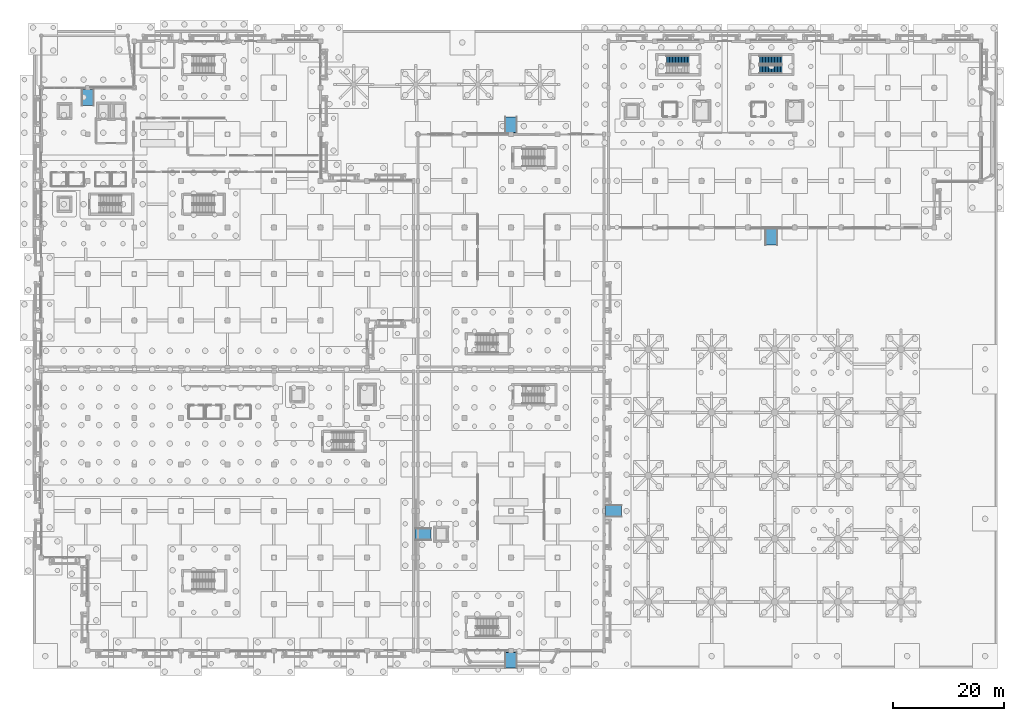
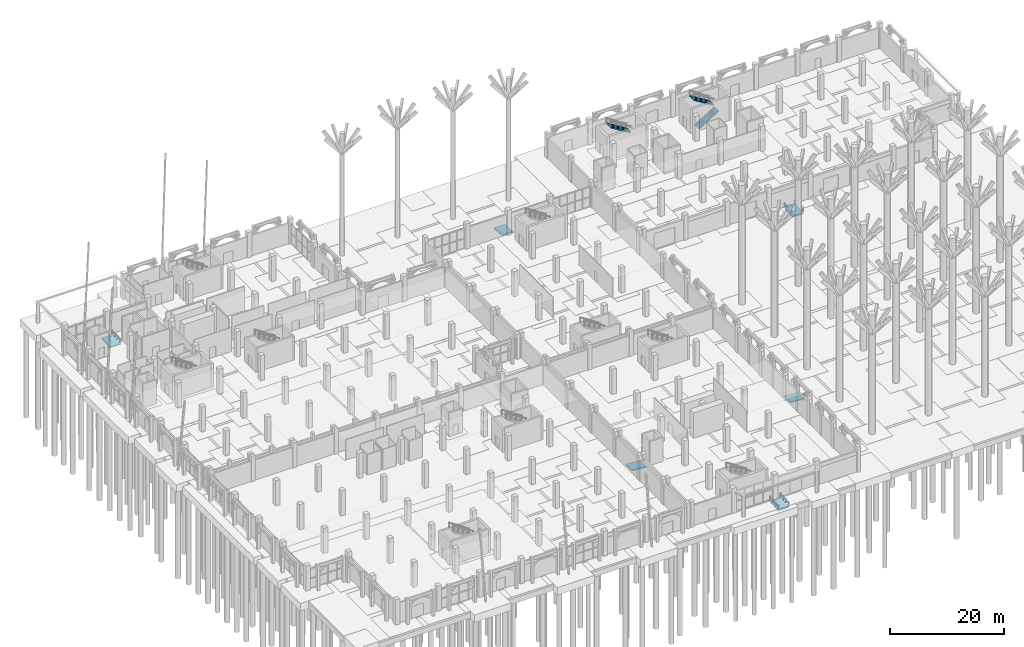
# One storey, part 75 of 98: 6 ramp flights, 3 stair flights, 8 elements without a shape of their own.
"""IFC4 building model written with IfcOpenShell, lengths in metres."""

from ifc_helpers import new_model, si_unit, direction, frame, origin, place, context, subcontext, project, spatial, polyline, outline, extrude, material, layer, layer_set, type_object, element, aggregate, save


model = new_model("IFC4")

# Units and contexts
model_context = context("Model", 3, precision=1e-05, world=origin(), true_north=direction((0.0, 1.0)))
body_context = subcontext(model_context, "Body", "Model", "MODEL_VIEW")
ifc_project = project(units=[si_unit("LENGTHUNIT", "METRE"), si_unit("AREAUNIT", "SQUARE_METRE"), si_unit("VOLUMEUNIT", "CUBIC_METRE"), si_unit("PLANEANGLEUNIT", "RADIAN"), si_unit("MASSUNIT", "GRAM", prefix="KILO")], contexts=[model_context])

# Site, building, storey
site_placement = place(None, origin())
site = spatial("IfcSite", under=ifc_project, at=site_placement, CompositionType="ELEMENT")
building_placement = place(site_placement, origin())
building = spatial("IfcBuilding", under=site, at=building_placement, Name="Xazarin Passage Department Store", CompositionType="ELEMENT")
storey_placement = place(building_placement, origin())
storey = spatial("IfcBuildingStorey", under=building, at=storey_placement, Name="L00", CompositionType="ELEMENT", Elevation=0.0)

# Stair, stair flight
ifc_material = material(Name="Concrete C35/45", Category="concrete")
stair_type = type_object("IfcStairType", Name="ARC-ST-L00", PredefinedType="HALF_TURN_STAIR", material=ifc_material)
stair_1_placement = place(storey_placement, origin())
stair_1 = element("IfcStair", 1, at=stair_1_placement, inside=storey, type_object=stair_type, Name="L00 Exit Stair ST10", PredefinedType="HALF_TURN_STAIR")
stair_flight_type = type_object("IfcStairFlightType", Name="ARC-SFL-L00", PredefinedType="STRAIGHT", material=ifc_material)
stair_flight_1_placement = place(storey_placement, frame((116.889892578125, 106.659912109375, 2.699951171875), z_axis=(0.0, 0.0, 1.0), x_axis=(-1.0, 0.0, 0.0)))
stair_flight_1 = element("IfcStairFlight", 2, at=stair_flight_1_placement, type_object=stair_flight_type, Name="ST10 flight 2", NumberOfRisers=16, NumberOfTreads=15, PredefinedType="STRAIGHT", RiserHeight=0.16875, TreadLength=0.27, context=body_context, shape_type="SweptSolid", body=[
    extrude(outline(polyline([(0.0, 0.0), (0.0, 0.168701171875), (0.27001953125, 0.168701171875), (0.27001953125, 0.33740234375), (0.5400390625, 0.33740234375), (0.5400390625, 0.50634765625), (0.81005859375, 0.50634765625), (0.81005859375, 0.675048828125), (1.080078125, 0.675048828125), (1.080078125, 0.84375), (1.35009765625, 0.84375), (1.35009765625, 1.012451171875), (1.6201171875, 1.012451171875), (1.6201171875, 1.18115234375), (1.889892578125, 1.18115234375), (1.889892578125, 1.35009765625), (2.159912109375, 1.35009765625), (2.159912109375, 1.518798828125), (2.429931640625, 1.518798828125), (2.429931640625, 1.6875), (2.699951171875, 1.6875), (2.699951171875, 1.856201171875), (2.969970703125, 1.856201171875), (2.969970703125, 2.02490234375), (3.239990234375, 2.02490234375), (3.239990234375, 2.19384765625), (3.510009765625, 2.19384765625), (3.510009765625, 2.362548828125), (3.780029296875, 2.362548828125), (3.780029296875, 2.53125), (4.050048828125, 2.53125), (4.050048828125, 2.699951171875), (4.050048828125, 2.3427734375), (0.3017578125, 0.0), (0.0, 0.0)])), frame((0.0, 0.760009765625, 0.0), z_axis=(0.0, -1.0, 0.0), x_axis=(1.0, 0.0, 0.0)), (0.0, 0.0, 1.0), 1.52001953125),
])
aggregate(stair_1, [stair_flight_1])

# Stair, stair flights
stair_2_placement = place(storey_placement, origin())
stair_2 = element("IfcStair", 3, at=stair_2_placement, inside=storey, type_object=stair_type, Name="L00 Exit Stair ST11", PredefinedType="HALF_TURN_STAIR")
stair_flight_2_placement = place(storey_placement, frame((129.639892578125, 104.93994140625, 0.0), z_axis=(0.0, 0.0, 1.0), x_axis=(1.0, 0.0, 0.0)))
stair_flight_2 = element("IfcStairFlight", 4, at=stair_flight_2_placement, type_object=stair_flight_type, Name="ST11 flight 1", NumberOfRisers=16, NumberOfTreads=15, PredefinedType="STRAIGHT", RiserHeight=0.16875, TreadLength=0.27, context=body_context, shape_type="SweptSolid", body=[
    extrude(outline(polyline([(0.0, 0.0), (0.0, 0.168701171875), (0.27001953125, 0.168701171875), (0.27001953125, 0.33740234375), (0.5400390625, 0.33740234375), (0.5400390625, 0.50634765625), (0.81005859375, 0.50634765625), (0.81005859375, 0.675048828125), (1.080078125, 0.675048828125), (1.080078125, 0.84375), (1.35009765625, 0.84375), (1.35009765625, 1.012451171875), (1.6201171875, 1.012451171875), (1.6201171875, 1.18115234375), (1.889892578125, 1.18115234375), (1.889892578125, 1.35009765625), (2.159912109375, 1.35009765625), (2.159912109375, 1.518798828125), (2.429931640625, 1.518798828125), (2.429931640625, 1.6875), (2.699951171875, 1.6875), (2.699951171875, 1.856201171875), (2.969970703125, 1.856201171875), (2.969970703125, 2.02490234375), (3.239990234375, 2.02490234375), (3.239990234375, 2.19384765625), (3.510009765625, 2.19384765625), (3.510009765625, 2.362548828125), (3.780029296875, 2.362548828125), (3.780029296875, 2.53125), (4.050048828125, 2.53125), (4.050048828125, 2.699951171875), (4.050048828125, 2.3427734375), (0.3017578125, 0.0), (0.0, 0.0)])), frame((0.0, 0.760009765625, 0.0), z_axis=(0.0, -1.0, 0.0), x_axis=(1.0, 0.0, 0.0)), (0.0, 0.0, 1.0), 1.52001953125),
])
stair_flight_3_placement = place(storey_placement, frame((133.68994140625, 106.659912109375, 2.699951171875), z_axis=(0.0, 0.0, 1.0), x_axis=(-1.0, 0.0, 0.0)))
stair_flight_3 = element("IfcStairFlight", 5, at=stair_flight_3_placement, type_object=stair_flight_type, Name="ST11 flight 2", NumberOfRisers=16, NumberOfTreads=15, PredefinedType="STRAIGHT", RiserHeight=0.16875, TreadLength=0.27, context=body_context, shape_type="SweptSolid", body=[
    extrude(outline(polyline([(0.0, 0.0), (0.0, 0.168701171875), (0.27001953125, 0.168701171875), (0.27001953125, 0.33740234375), (0.5400390625, 0.33740234375), (0.5400390625, 0.50634765625), (0.81005859375, 0.50634765625), (0.81005859375, 0.675048828125), (1.080078125, 0.675048828125), (1.080078125, 0.84375), (1.35009765625, 0.84375), (1.35009765625, 1.012451171875), (1.6201171875, 1.012451171875), (1.6201171875, 1.18115234375), (1.889892578125, 1.18115234375), (1.889892578125, 1.35009765625), (2.159912109375, 1.35009765625), (2.159912109375, 1.518798828125), (2.429931640625, 1.518798828125), (2.429931640625, 1.6875), (2.699951171875, 1.6875), (2.699951171875, 1.856201171875), (2.969970703125, 1.856201171875), (2.969970703125, 2.02490234375), (3.239990234375, 2.02490234375), (3.239990234375, 2.19384765625), (3.510009765625, 2.19384765625), (3.510009765625, 2.362548828125), (3.780029296875, 2.362548828125), (3.780029296875, 2.53125), (4.050048828125, 2.53125), (4.050048828125, 2.699951171875), (4.050048828125, 2.3427734375), (0.3017578125, 0.0), (0.0, 0.0)])), frame((0.0, 0.760009765625, 0.0), z_axis=(0.0, -1.0, 0.0), x_axis=(1.0, 0.0, 0.0)), (0.0, 0.0, 1.0), 1.52001953125),
])
aggregate(stair_2, [stair_flight_2, stair_flight_3])

# Ramp, ramp flight
ramp_type = type_object("IfcRampType", Name="ARC-RMP-ENT", PredefinedType="STRAIGHT_RUN_RAMP", material=ifc_material)
ramp_1_placement = place(storey_placement, origin())
ramp_1 = element("IfcRamp", 6, at=ramp_1_placement, inside=storey, type_object=ramp_type, Name="Step-Free Pedestrian Threshold Ramp RMP-01", PredefinedType="STRAIGHT_RUN_RAMP")
ifc_layer = layer(ifc_material, 0.219970703125)
ifc_layer_set = layer_set([ifc_layer], Name="Concrete C35/45")
ramp_flight_type = type_object("IfcRampFlightType", Name="ARC-RFL-ENT", PredefinedType="STRAIGHT", material=ifc_layer_set)
ramp_flight_1_placement = place(storey_placement, frame((7.300048828125, 98.419921875, -0.239990234375), z_axis=(0.0, -0.083038488854, 0.996546340804), x_axis=(1.0, 0.0, 0.0)))
ramp_flight_1 = element("IfcRampFlight", 7, at=ramp_flight_1_placement, type_object=ramp_flight_type, Name="RMP-01 Step-Free Flight", PredefinedType="STRAIGHT", context=body_context, shape_type="SweptSolid", body=[
    extrude(outline(polyline([(0.0, 0.0), (2.199951171875, 0.0), (2.199951171875, 2.890108402588468), (0.0, 2.890108402588468), (0.0, 0.0)])), origin(), (0.0, 0.0, -1.0), 0.219970703125),
])
aggregate(ramp_1, [ramp_flight_1])

ramp_2_placement = place(storey_placement, origin())
ramp_2 = element("IfcRamp", 8, at=ramp_2_placement, inside=storey, type_object=ramp_type, Name="Step-Free Pedestrian Threshold Ramp RMP-02", PredefinedType="STRAIGHT_RUN_RAMP")
ramp_flight_2_placement = place(storey_placement, frame((83.699951171875, -3.179931640625, -0.239990234375), z_axis=(0.0, -0.083045479854, 0.996545758245), x_axis=(1.0, 0.0, 0.0)))
ramp_flight_2 = element("IfcRampFlight", 9, at=ramp_flight_2_placement, type_object=ramp_flight_type, Name="RMP-02 Step-Free Flight", PredefinedType="STRAIGHT", context=body_context, shape_type="SweptSolid", body=[
    extrude(outline(polyline([(0.0, 0.0), (2.199951171875, 0.0), (2.199951171875, 2.889865105213092), (0.0, 2.889865105213092), (0.0, 0.0)])), origin(), (0.0, 0.0, -1.0), 0.219970703125),
])
aggregate(ramp_2, [ramp_flight_2])

ramp_3_placement = place(storey_placement, origin())
ramp_3 = element("IfcRamp", 10, at=ramp_3_placement, inside=storey, type_object=ramp_type, Name="Step-Free Pedestrian Threshold Ramp RMP-03", PredefinedType="STRAIGHT_RUN_RAMP")
ramp_flight_3_placement = place(storey_placement, frame((85.89990234375, 96.3798828125, -0.239990234375), z_axis=(0.0, 0.083045479854, 0.996545758245), x_axis=(-1.0, 0.0, 0.0)))
ramp_flight_3 = element("IfcRampFlight", 11, at=ramp_flight_3_placement, type_object=ramp_flight_type, Name="RMP-03 Step-Free Flight", PredefinedType="STRAIGHT", context=body_context, shape_type="SweptSolid", body=[
    extrude(outline(polyline([(0.0, 0.0), (2.199951171875, 0.0), (2.199951171875, 2.889865105213092), (0.0, 2.889865105213092), (0.0, 0.0)])), origin(), (0.0, 0.0, -1.0), 0.219970703125),
])
aggregate(ramp_3, [ramp_flight_3])

ramp_4_placement = place(storey_placement, origin())
ramp_4 = element("IfcRamp", 12, at=ramp_4_placement, inside=storey, type_object=ramp_type, Name="Step-Free Pedestrian Threshold Ramp RMP-04", PredefinedType="STRAIGHT_RUN_RAMP")
ramp_flight_4_placement = place(storey_placement, frame((104.780029296875, 24.10009765625, -0.239990234375), z_axis=(0.083038488854, 0.0, 0.996546340804), x_axis=(0.0, 1.0, 0.0)))
ramp_flight_4 = element("IfcRampFlight", 13, at=ramp_flight_4_placement, type_object=ramp_flight_type, Name="RMP-04 Step-Free Flight", PredefinedType="STRAIGHT", context=body_context, shape_type="SweptSolid", body=[
    extrude(outline(polyline([(0.0, 0.0), (2.199951171875, 0.0), (2.199951171875, 2.890108402588468), (0.0, 2.890108402588468), (0.0, 0.0)])), origin(), (0.0, 0.0, -1.0), 0.219970703125),
])
aggregate(ramp_4, [ramp_flight_4])

ramp_5_placement = place(storey_placement, origin())
ramp_5 = element("IfcRamp", 14, at=ramp_5_placement, inside=storey, type_object=ramp_type, Name="Step-Free Pedestrian Threshold Ramp RMP-05", PredefinedType="STRAIGHT_RUN_RAMP")
ramp_flight_5_placement = place(storey_placement, frame((70.3798828125, 19.89990234375, -0.239990234375), z_axis=(0.083045479854, 0.0, 0.996545758245), x_axis=(0.0, 1.0, 0.0)))
ramp_flight_5 = element("IfcRampFlight", 15, at=ramp_flight_5_placement, type_object=ramp_flight_type, Name="RMP-05 Step-Free Flight", PredefinedType="STRAIGHT", context=body_context, shape_type="SweptSolid", body=[
    extrude(outline(polyline([(0.0, 0.0), (2.2001953125, 0.0), (2.2001953125, 2.8898651052130924), (0.0, 2.8898651052130924), (0.0, 0.0)])), origin(), (0.0, 0.0, -1.0), 0.219970703125),
])
aggregate(ramp_5, [ramp_flight_5])

ramp_6_placement = place(storey_placement, origin())
ramp_6 = element("IfcRamp", 16, at=ramp_6_placement, inside=storey, type_object=ramp_type, Name="Step-Free Pedestrian Threshold Ramp RMP-06", PredefinedType="STRAIGHT_RUN_RAMP")
ramp_flight_6_placement = place(storey_placement, frame((130.699951171875, 73.219970703125, -0.239990234375), z_axis=(0.0, -0.083038488854, 0.996546340804), x_axis=(1.0, 0.0, 0.0)))
ramp_flight_6 = element("IfcRampFlight", 17, at=ramp_flight_6_placement, type_object=ramp_flight_type, Name="RMP-06 Step-Free Flight", PredefinedType="STRAIGHT", context=body_context, shape_type="SweptSolid", body=[
    extrude(outline(polyline([(0.0, 0.0), (2.199951171875, 0.0), (2.199951171875, 2.890108402588468), (0.0, 2.890108402588468), (0.0, 0.0)])), origin(), (0.0, 0.0, -1.0), 0.219970703125),
])
aggregate(ramp_6, [ramp_flight_6])

save(model, "model.ifc")
